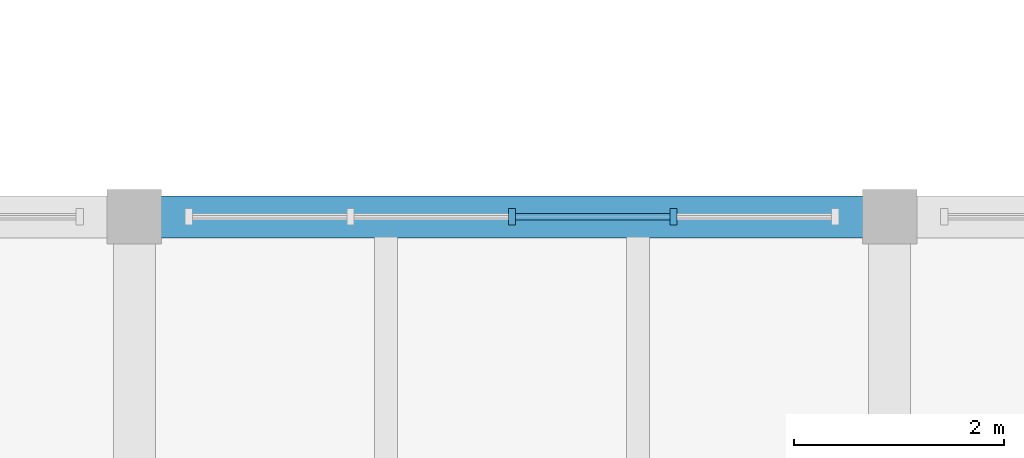
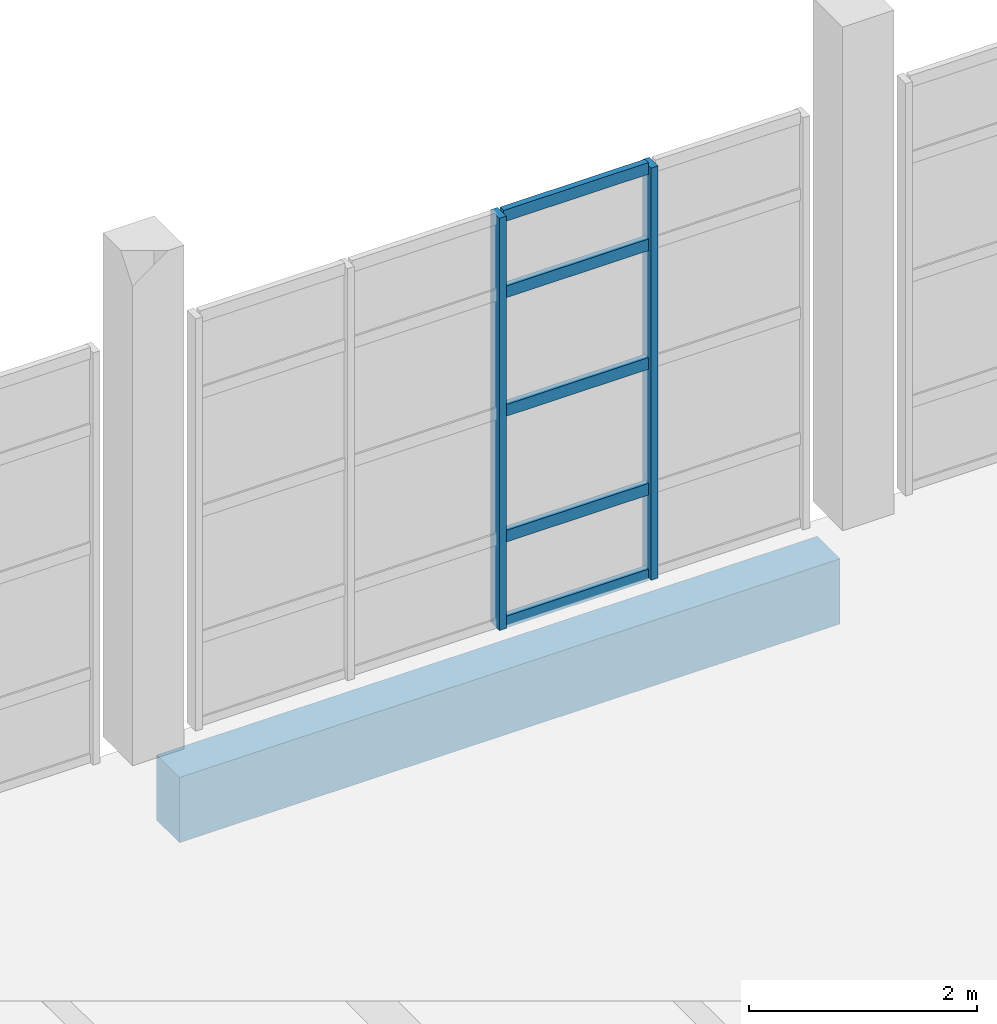
# One storey, part 40 of 79: 7 members, 1 beam, 1 element without a shape of its own.
"""IFC4 building model written with IfcOpenShell, lengths in metres."""

from ifc_helpers import new_model, si_unit, direction, frame, origin, origin_2d, place, context, subcontext, project, spatial, rectangle, extrude, material, material_profile, profile_set, type_object, element, aggregate, save


model = new_model("IFC4")

# Units and contexts
model_context = context("Model", 3, precision=1e-05, world=origin(), true_north=direction((0.0, 1.0)))
body_context = subcontext(model_context, "Body", "Model", "MODEL_VIEW")
ifc_project = project(units=[si_unit("LENGTHUNIT", "METRE"), si_unit("AREAUNIT", "SQUARE_METRE"), si_unit("VOLUMEUNIT", "CUBIC_METRE"), si_unit("PLANEANGLEUNIT", "RADIAN"), si_unit("MASSUNIT", "GRAM", prefix="KILO")], contexts=[model_context])

# Site, building, storey
site_placement = place(None, origin())
site = spatial("IfcSite", under=ifc_project, at=site_placement, CompositionType="ELEMENT")
building_placement = place(site_placement, origin())
building = spatial("IfcBuilding", under=site, at=building_placement, Name="Qiaolan Assembly House", CompositionType="ELEMENT")
storey_placement = place(building_placement, origin())
storey = spatial("IfcBuildingStorey", under=building, at=storey_placement, Name="L00", CompositionType="ELEMENT", Elevation=0.0)

# Beam
ifc_material_1 = material(Name="Concrete C40/50", Category="concrete")
ifc_material_profile_1 = material_profile(ifc_material_1, rectangle(XDim=0.39990234375, YDim=0.699951171875, at=origin_2d()), Name="RCB 400x700")
ifc_profile_set_1 = profile_set([ifc_material_profile_1], Name="Concrete C40/50")
beam_type = type_object("IfcBeamType", Name="BM-RC-400x700", PredefinedType="BEAM", material=ifc_profile_set_1)
beam_placement = place(storey_placement, frame((122.64990234375, 86.39990234375, -0.68994140625), z_axis=(1.0, 0.0, 0.0), x_axis=(0.0, 1.0, 0.0)))
element("IfcBeam", 1, at=beam_placement, inside=storey, type_object=beam_type, Name="GB-05 beam BMX-CLN-L00-02-01", PredefinedType="BEAM", context=body_context, shape_type="SweptSolid", body=[
    extrude(rectangle(XDim=0.39990234375, YDim=0.699951171875, at=origin_2d()), origin(), (0.0, 0.0, 1.0), 6.7001953125),
])

# Curtain wall, members
ifc_material_2 = material(Name="Anodised bronze aluminium", Category="aluminium")
curtain_wall_type = type_object("IfcCurtainWallType", Name="CW-CLOISTER-420", PredefinedType="NOTDEFINED", material=ifc_material_2)
curtain_wall_placement = place(storey_placement, origin())
curtain_wall = element("IfcCurtainWall", 2, at=curtain_wall_placement, inside=storey, type_object=curtain_wall_type, Name="CW-05 North Cloister outer arcade L00-3", PredefinedType="NOTDEFINED")
ifc_material_profile_2 = material_profile(ifc_material_2, rectangle(XDim=0.070068359375, YDim=0.155029296875, at=origin_2d()), Name="MUL 70x155")
ifc_profile_set_2 = profile_set([ifc_material_profile_2], Name="Anodised bronze aluminium")
member_type_1 = type_object("IfcMemberType", Name="CW-CLOISTER-420-MUL", PredefinedType="MULLION", material=ifc_profile_set_2)
member_1_placement = place(storey_placement, frame((127.5400390625, 86.39990234375, 0.0), z_axis=(0.0, 0.0, 1.0), x_axis=(-1.0, 0.0, 0.0)))
member_1 = element("IfcMember", 3, at=member_1_placement, type_object=member_type_1, Name="ML-06 mullion CW-CLN-OUT-L00-2-2", PredefinedType="MULLION", context=body_context, shape_type="SweptSolid", body=[
    extrude(rectangle(XDim=0.070068359375, YDim=0.155029296875, at=origin_2d()), origin(), (0.0, 0.0, 1.0), 4.419921875),
])
member_2_placement = place(storey_placement, frame((126.0, 86.39990234375, 0.0), z_axis=(0.0, 0.0, 1.0), x_axis=(-1.0, 0.0, 0.0)))
member_2 = element("IfcMember", 4, at=member_2_placement, type_object=member_type_1, Name="ML-06 mullion CW-CLN-OUT-L00-2-3", PredefinedType="MULLION", context=body_context, shape_type="SweptSolid", body=[
    extrude(rectangle(XDim=0.070068359375, YDim=0.155029296875, at=origin_2d()), origin(), (0.0, 0.0, 1.0), 4.419921875),
])
ifc_material_profile_3 = material_profile(ifc_material_2, rectangle(XDim=0.06201171875, YDim=0.125, at=origin_2d()), Name="TRN 62x125")
ifc_profile_set_3 = profile_set([ifc_material_profile_3], Name="Anodised bronze aluminium")
member_type_2 = type_object("IfcMemberType", Name="CW-CLOISTER-420-TRN", PredefinedType="USERDEFINED", material=ifc_profile_set_3)
member_3_placement = place(storey_placement, frame((127.5048828125, 86.39990234375, 0.030029296875), z_axis=(-1.0, 0.0, 0.0), x_axis=(0.0, -1.0, 0.0)))
member_3 = element("IfcMember", 5, at=member_3_placement, type_object=member_type_2, Name="TR-06 transom CW-CLN-OUT-L00-2-2-1", ObjectType="TRANSOM", PredefinedType="USERDEFINED", context=body_context, shape_type="SweptSolid", body=[
    extrude(rectangle(XDim=0.06201171875, YDim=0.125, at=origin_2d()), origin(), (0.0, 0.0, 1.0), 1.469970703125),
])
member_4_placement = place(storey_placement, frame((127.5048828125, 86.39990234375, 0.949951171875), z_axis=(-1.0, 0.0, 0.0), x_axis=(0.0, -1.0, 0.0)))
member_4 = element("IfcMember", 6, at=member_4_placement, type_object=member_type_2, Name="TR-06 transom CW-CLN-OUT-L00-2-2-2", ObjectType="TRANSOM", PredefinedType="USERDEFINED", context=body_context, shape_type="SweptSolid", body=[
    extrude(rectangle(XDim=0.06201171875, YDim=0.125, at=origin_2d()), origin(), (0.0, 0.0, 1.0), 1.469970703125),
])
member_5_placement = place(storey_placement, frame((127.5048828125, 86.39990234375, 2.29833984375), z_axis=(-1.0, 0.0, 0.0), x_axis=(0.0, -1.0, 0.0)))
member_5 = element("IfcMember", 7, at=member_5_placement, type_object=member_type_2, Name="TR-06 transom CW-CLN-OUT-L00-2-2-3", ObjectType="TRANSOM", PredefinedType="USERDEFINED", context=body_context, shape_type="SweptSolid", body=[
    extrude(rectangle(XDim=0.06201171875, YDim=0.125, at=origin_2d()), origin(), (0.0, 0.0, 1.0), 1.469970703125),
])
member_6_placement = place(storey_placement, frame((127.5048828125, 86.39990234375, 3.570068359375), z_axis=(-1.0, 0.0, 0.0), x_axis=(0.0, -1.0, 0.0)))
member_6 = element("IfcMember", 8, at=member_6_placement, type_object=member_type_2, Name="TR-06 transom CW-CLN-OUT-L00-2-2-4", ObjectType="TRANSOM", PredefinedType="USERDEFINED", context=body_context, shape_type="SweptSolid", body=[
    extrude(rectangle(XDim=0.06201171875, YDim=0.125, at=origin_2d()), origin(), (0.0, 0.0, 1.0), 1.469970703125),
])
member_7_placement = place(storey_placement, frame((127.5048828125, 86.39990234375, 4.389892578125), z_axis=(-1.0, 0.0, 0.0), x_axis=(0.0, -1.0, 0.0)))
member_7 = element("IfcMember", 9, at=member_7_placement, type_object=member_type_2, Name="TR-06 transom CW-CLN-OUT-L00-2-2-5", ObjectType="TRANSOM", PredefinedType="USERDEFINED", context=body_context, shape_type="SweptSolid", body=[
    extrude(rectangle(XDim=0.06201171875, YDim=0.125, at=origin_2d()), origin(), (0.0, 0.0, 1.0), 1.469970703125),
])
aggregate(curtain_wall, [member_1, member_2, member_3, member_4, member_5, member_6, member_7])

save(model, "model.ifc")
